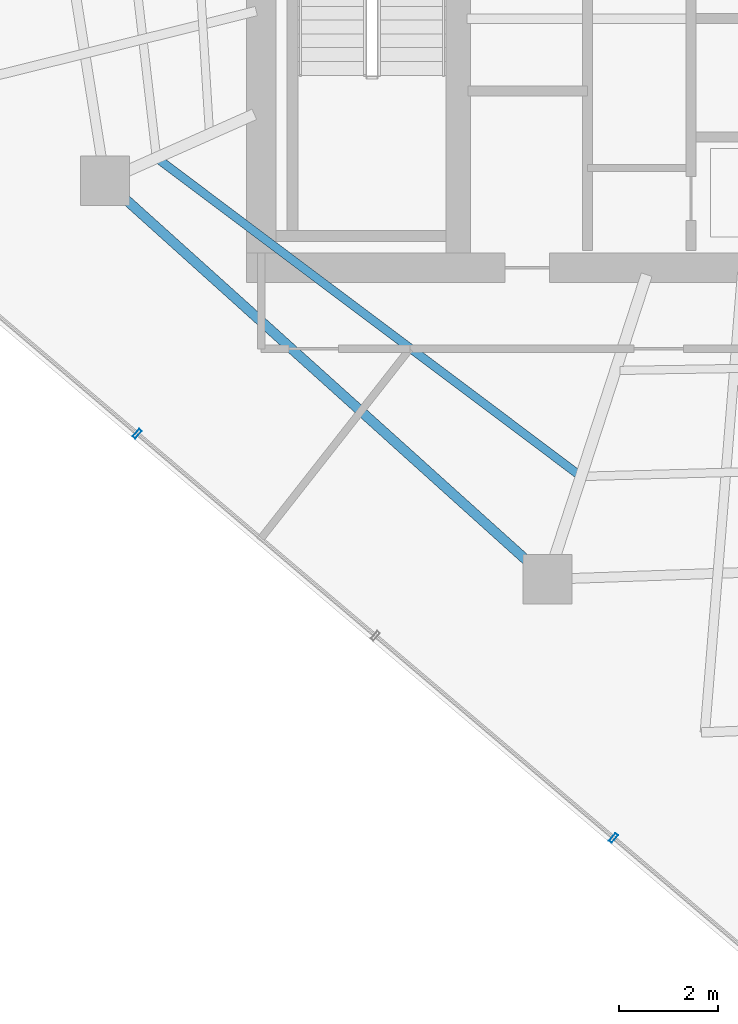
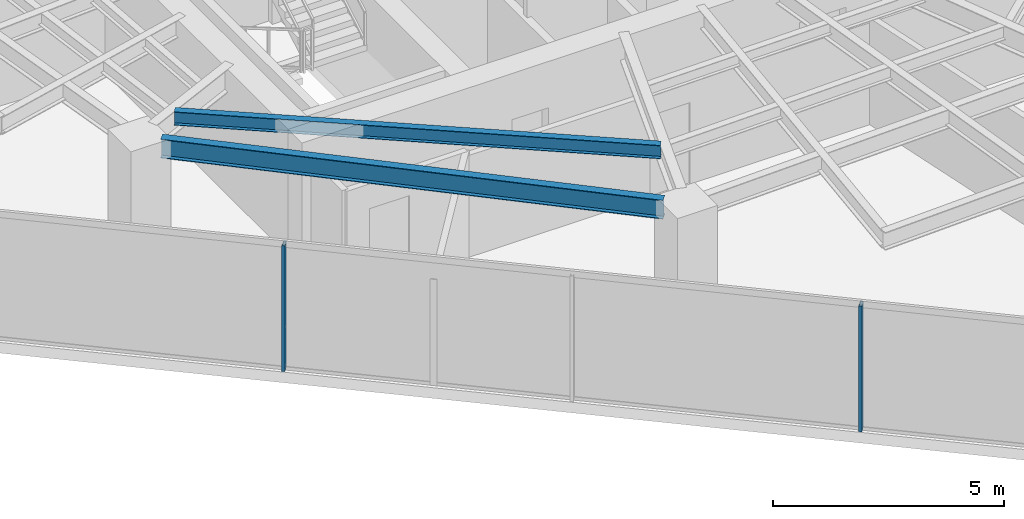
# One storey, part 4 of 21: 2 beams, 2 members, 1 element without a shape of its own.
"""IFC4 building model written with IfcOpenShell, lengths in metres."""

from ifc_helpers import new_model, si_unit, direction, frame, origin, origin_2d, place, context, subcontext, project, spatial, hollow_rectangle, i_section, extrude, material, layer, layer_set, material_profile, profile_set, type_object, element, aggregate, save


model = new_model("IFC4")

# Units and contexts
model_context = context("Model", 3, precision=1e-05, world=origin(), true_north=direction((0.0, 1.0)))
body_context = subcontext(model_context, "Body", "Model", "MODEL_VIEW")
ifc_project = project(units=[si_unit("LENGTHUNIT", "METRE"), si_unit("AREAUNIT", "SQUARE_METRE"), si_unit("VOLUMEUNIT", "CUBIC_METRE"), si_unit("PLANEANGLEUNIT", "RADIAN"), si_unit("MASSUNIT", "GRAM", prefix="KILO")], contexts=[model_context])

# Site, building, storey
site_placement = place(None, origin())
site = spatial("IfcSite", under=ifc_project, at=site_placement, CompositionType="ELEMENT")
building_placement = place(site_placement, origin())
building = spatial("IfcBuilding", under=site, at=building_placement, Name="Qarnah Convention Tower", CompositionType="ELEMENT")
storey_placement = place(building_placement, frame((0.0, 0.0, 140.10009765625)))
storey = spatial("IfcBuildingStorey", under=building, at=storey_placement, Name="L37", CompositionType="ELEMENT", Elevation=140.10009765625)

# Beams
ifc_material_1 = material(Name="Structural steel S355JR", Category="steel")
ifc_material_profile_1 = material_profile(ifc_material_1, i_section(OverallWidth=0.172119140625, OverallDepth=0.35595703125, WebThickness=0.007080078125, FlangeThickness=0.011962890625, at=origin_2d()), Name="W360X51")
ifc_profile_set_1 = profile_set([ifc_material_profile_1], Name="Structural steel S355JR")
beam_type_1 = type_object("IfcBeamType", Name="BM-JST-W360", PredefinedType="JOIST", material=ifc_profile_set_1)
beam_1_placement = place(storey_placement, frame((24.7509765625, 20.77099609375, 3.141845703125), z_axis=(0.799842204351, -0.600210336581, 0.0), x_axis=(0.600210336581, 0.799842204351, 0.0)))
element("IfcBeam", 1, at=beam_1_placement, inside=storey, type_object=beam_type_1, Name="L37 joist BM-L37-SJST-06", PredefinedType="JOIST", context=body_context, shape_type="SweptSolid", body=[
    extrude(i_section(OverallWidth=0.172119140625, OverallDepth=0.35595703125, WebThickness=0.007080078125, FlangeThickness=0.011962890625, at=origin_2d()), origin(), (0.0, 0.0, 1.0), 10.584716796875),
])
ifc_material_profile_2 = material_profile(ifc_material_1, i_section(OverallWidth=0.199951171875, OverallDepth=0.5, WebThickness=0.010009765625, FlangeThickness=0.01611328125, at=origin_2d()), Name="IPE500")
ifc_profile_set_2 = profile_set([ifc_material_profile_2], Name="Structural steel S355JR")
beam_type_2 = type_object("IfcBeamType", Name="BM-SPN-IPE500", PredefinedType="SPANDREL", material=ifc_profile_set_2)
beam_2_placement = place(storey_placement, frame((23.998046875, 20.031982421875, 3.06982421875), z_axis=(0.743165079224, -0.66910811161, 0.0), x_axis=(0.66910811161, 0.743165079224, 0.0)))
element("IfcBeam", 2, at=beam_2_placement, inside=storey, type_object=beam_type_2, Name="L37 spandrel BM-L37-SPN-06", PredefinedType="SPANDREL", context=body_context, shape_type="SweptSolid", body=[
    extrude(i_section(OverallWidth=0.199951171875, OverallDepth=0.5, WebThickness=0.010009765625, FlangeThickness=0.01611328125, at=origin_2d()), origin(), (0.0, 0.0, 1.0), 11.099853515625),
])

# Curtain wall, members
ifc_material_2 = material(Name="Tempered Low-E dark glass", Category="glass")
ifc_layer = layer(ifc_material_2, 0.172119140625)
ifc_layer_set = layer_set([ifc_layer], Name="Tempered Low-E dark glass")
curtain_wall_type = type_object("IfcCurtainWallType", Name="CWS-03", PredefinedType="NOTDEFINED", material=ifc_layer_set)
curtain_wall_placement = place(storey_placement, origin())
curtain_wall = element("IfcCurtainWall", 3, at=curtain_wall_placement, inside=storey, type_object=curtain_wall_type, Name="L37 unitised curtain wall CW-L37-F2", PredefinedType="NOTDEFINED")
ifc_material_3 = material(Name="Black anodised aluminium", Category="aluminium")
ifc_material_profile_3 = material_profile(ifc_material_3, hollow_rectangle(XDim=0.070068359375, YDim=0.199951171875, WallThickness=0.0048828125, at=origin_2d()), Name="MUL-70X200")
ifc_profile_set_3 = profile_set([ifc_material_profile_3], Name="Black anodised aluminium")
member_type = type_object("IfcMemberType", Name="MUL-T3", PredefinedType="MULLION", material=ifc_profile_set_3)
member_1_placement = place(storey_placement, frame((33.947998046875, 7.02978515625, 0.0), z_axis=(0.0, 0.0, 1.0), x_axis=(-0.762449207872, 0.647048070405, 0.0)))
member_1 = element("IfcMember", 4, at=member_1_placement, type_object=member_type, Name="CW-L37-F2 mullion 2", PredefinedType="MULLION", context=body_context, shape_type="SweptSolid", body=[
    extrude(hollow_rectangle(XDim=0.070068359375, YDim=0.199951171875, WallThickness=0.0048828125, at=origin_2d()), origin(), (0.0, 0.0, 1.0), 3.31982421875),
])
member_2_placement = place(storey_placement, frame((24.285888671875, 15.2294921875, 0.0), z_axis=(0.0, 0.0, 1.0), x_axis=(-0.762449207872, 0.647048070405, 0.0)))
member_2 = element("IfcMember", 5, at=member_2_placement, type_object=member_type, Name="CW-L37-F2 mullion 4", PredefinedType="MULLION", context=body_context, shape_type="SweptSolid", body=[
    extrude(hollow_rectangle(XDim=0.070068359375, YDim=0.199951171875, WallThickness=0.0048828125, at=origin_2d()), origin(), (0.0, 0.0, 1.0), 3.31982421875),
])
aggregate(curtain_wall, [member_1, member_2])

save(model, "model.ifc")
